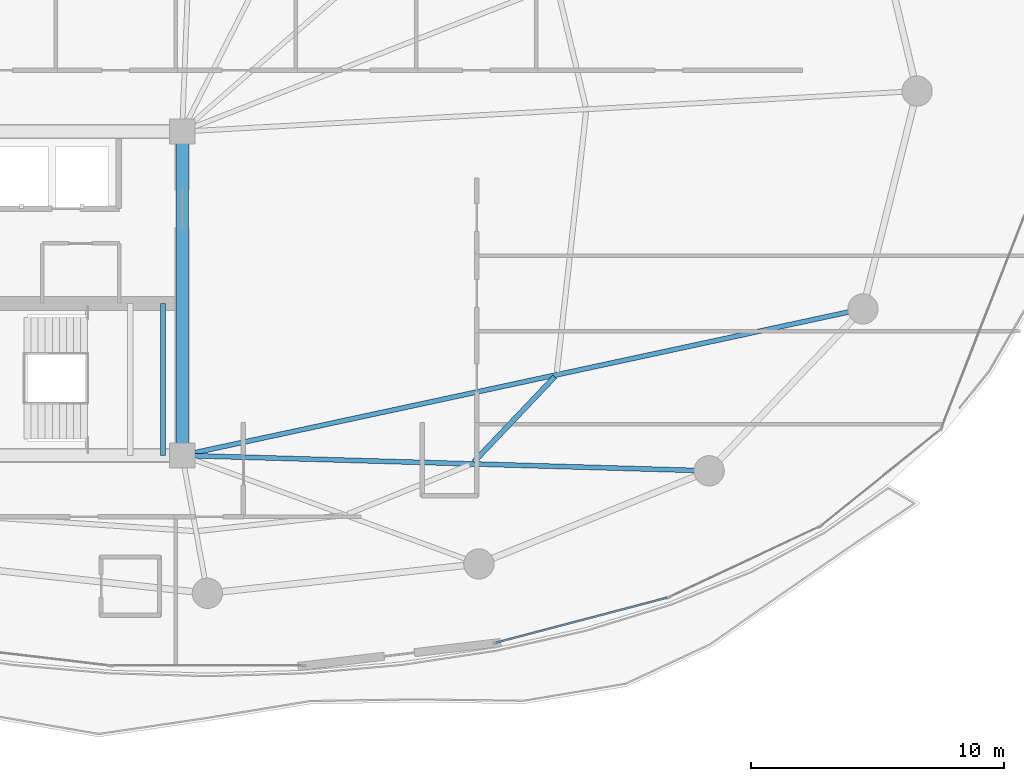
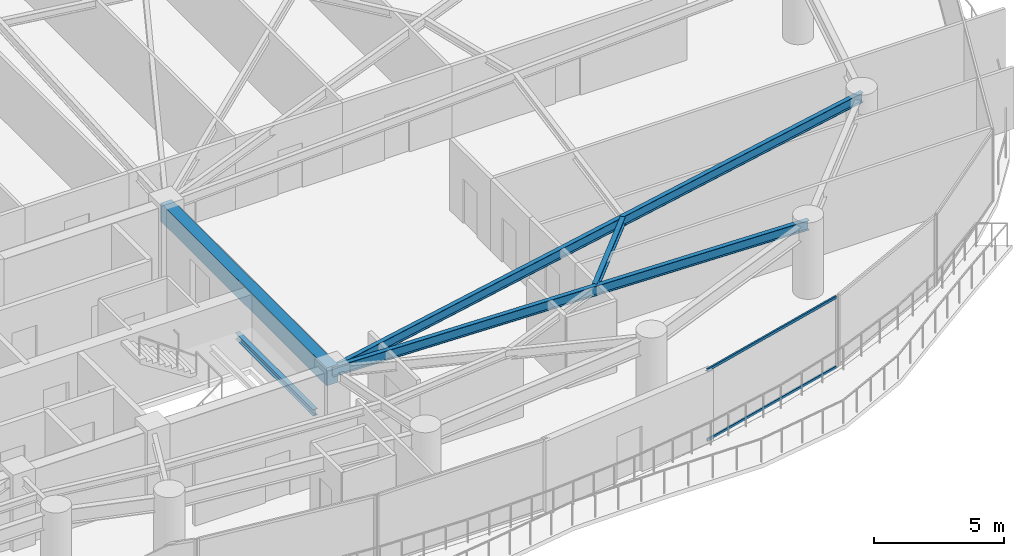
# One storey, part 13 of 34: 5 beams, 2 members, 1 element without a shape of its own.
"""IFC4 building model written with IfcOpenShell, lengths in metres."""

from ifc_helpers import new_model, si_unit, direction, frame, origin, origin_2d, place, context, subcontext, project, spatial, rectangle, hollow_rectangle, i_section, extrude, material, layer, layer_set, material_profile, profile_set, type_object, element, aggregate, save


model = new_model("IFC4")

# Units and contexts
model_context = context("Model", 3, precision=1e-05, world=origin(), true_north=direction((0.0, 1.0)))
body_context = subcontext(model_context, "Body", "Model", "MODEL_VIEW")
ifc_project = project(units=[si_unit("LENGTHUNIT", "METRE"), si_unit("AREAUNIT", "SQUARE_METRE"), si_unit("VOLUMEUNIT", "CUBIC_METRE"), si_unit("PLANEANGLEUNIT", "RADIAN"), si_unit("MASSUNIT", "GRAM", prefix="KILO")], contexts=[model_context])

# Site, building, storey
site_placement = place(None, origin())
site = spatial("IfcSite", under=ifc_project, at=site_placement, CompositionType="ELEMENT")
building_placement = place(site_placement, origin())
building = spatial("IfcBuilding", under=site, at=building_placement, Name="Kazevale Care Tower and Concert Hall", CompositionType="ELEMENT")
storey_placement = place(building_placement, frame((0.0, 0.0, 171.0)))
storey = spatial("IfcBuildingStorey", under=building, at=storey_placement, Name="L45", CompositionType="ELEMENT", Elevation=171.0)

# Curtain wall, members
ifc_material_1 = material(Name="Aluminium 6063-T6 and Low-E Glass", Category="aluminium")
ifc_layer = layer(ifc_material_1, 0.179931640625)
ifc_layer_set = layer_set([ifc_layer], Name="Aluminium 6063-T6 and Low-E Glass")
curtain_wall_type = type_object("IfcCurtainWallType", Name="Sheltered Concave Balcony Curtain Wall CW-5", PredefinedType="NOTDEFINED", material=ifc_layer_set)
curtain_wall_placement = place(storey_placement, origin())
curtain_wall = element("IfcCurtainWall", 1, at=curtain_wall_placement, inside=storey, type_object=curtain_wall_type, Name="cw:L45:f04", PredefinedType="NOTDEFINED")
ifc_material_2 = material(Name="Aluminium 6063-T6", Category="aluminium")
ifc_material_profile_1 = material_profile(ifc_material_2, hollow_rectangle(XDim=0.074951171875, YDim=0.1201171875, WallThickness=0.00390625, at=origin_2d()), Name="ALU75x120x4")
ifc_profile_set_1 = profile_set([ifc_material_profile_1], Name="Aluminium 6063-T6")
member_type = type_object("IfcMemberType", Name="CW-5 Transom ALU75x120x4", PredefinedType="USERDEFINED", material=ifc_profile_set_1)
member_1_placement = place(storey_placement, frame((63.16845703125, 17.971923828125, 0.03759765625), z_axis=(-0.967142752699, -0.254233939321, 0.0), x_axis=(0.254233939321, -0.967142752699, 0.0)))
member_1 = element("IfcMember", 2, at=member_1_placement, type_object=member_type, Name="CW-5 transom 1.1", ObjectType="TRANSOM", PredefinedType="USERDEFINED", context=body_context, shape_type="SweptSolid", body=[
    extrude(hollow_rectangle(XDim=0.074951171875, YDim=0.1201171875, WallThickness=0.00390625, at=origin_2d()), origin(), (0.0, 0.0, 1.0), 6.996826171875),
])
member_2_placement = place(storey_placement, frame((63.16845703125, 17.971923828125, 3.322509765625), z_axis=(-0.967142752699, -0.254233939321, 0.0), x_axis=(0.254233939321, -0.967142752699, 0.0)))
member_2 = element("IfcMember", 3, at=member_2_placement, type_object=member_type, Name="CW-5 transom 1.2", ObjectType="TRANSOM", PredefinedType="USERDEFINED", context=body_context, shape_type="SweptSolid", body=[
    extrude(hollow_rectangle(XDim=0.074951171875, YDim=0.1201171875, WallThickness=0.00390625, at=origin_2d()), origin(), (0.0, 0.0, 1.0), 6.996826171875),
])
aggregate(curtain_wall, [member_1, member_2])

# Beams
ifc_material_3 = material(Name="Concrete C60", Category="concrete")
ifc_material_profile_2 = material_profile(ifc_material_3, rectangle(XDim=0.5, YDim=0.85009765625, at=origin_2d()), Name="RC-B500x850")
ifc_profile_set_2 = profile_set([ifc_material_profile_2], Name="Concrete C60")
beam_type_1 = type_object("IfcBeamType", Name="Core Coupling Beam RC500x850", PredefinedType="LINTEL", material=ifc_profile_set_2)
beam_1_placement = place(storey_placement, frame((44.0, 23.60009765625, 2.93505859375), z_axis=(0.0, 1.0, 0.0), x_axis=(-1.0, 0.0, 0.0)))
element("IfcBeam", 4, at=beam_1_placement, inside=storey, type_object=beam_type_1, Name="beam:L45:coretie:4", PredefinedType="LINTEL", context=body_context, shape_type="SweptSolid", body=[
    extrude(rectangle(XDim=0.5, YDim=0.85009765625, at=origin_2d()), origin(), (0.0, 0.0, 1.0), 12.7998046875),
])
ifc_material_4 = material(Name="Steel ASTM A572 Gr 50", Category="steel")
ifc_material_profile_3 = material_profile(ifc_material_4, i_section(OverallWidth=0.19091796875, OverallDepth=0.4599609375, WebThickness=0.010009765625, FlangeThickness=0.01611328125, at=origin_2d()), Name="W460x82")
ifc_profile_set_3 = profile_set([ifc_material_profile_3], Name="Steel ASTM A572 Gr 50")
beam_type_2 = type_object("IfcBeamType", Name="Radial Floor Beam W460x82", PredefinedType="BEAM", material=ifc_profile_set_3)
beam_2_placement = place(storey_placement, frame((44.0, 23.60009765625, 3.1298828125), z_axis=(0.99957133157, -0.029277177187, 0.0), x_axis=(0.029277177187, 0.99957133157, 0.0)))
element("IfcBeam", 5, at=beam_2_placement, inside=storey, type_object=beam_type_2, Name="beam:L45:rad:15", PredefinedType="BEAM", context=body_context, shape_type="SweptSolid", body=[
    extrude(i_section(OverallWidth=0.19091796875, OverallDepth=0.4599609375, WebThickness=0.010009765625, FlangeThickness=0.01611328125, at=origin_2d()), origin(), (0.0, 0.0, 1.0), 20.839111328125),
])
beam_3_placement = place(storey_placement, frame((44.0, 23.60009765625, 3.1298828125), z_axis=(0.97762801725, 0.210341293823, 0.0), x_axis=(-0.210341293823, 0.97762801725, 0.0)))
element("IfcBeam", 6, at=beam_3_placement, inside=storey, type_object=beam_type_2, Name="beam:L45:rad:16", PredefinedType="BEAM", context=body_context, shape_type="SweptSolid", body=[
    extrude(i_section(OverallWidth=0.19091796875, OverallDepth=0.4599609375, WebThickness=0.010009765625, FlangeThickness=0.01611328125, at=origin_2d()), origin(), (0.0, 0.0, 1.0), 27.525634765625),
])
ifc_material_profile_4 = material_profile(ifc_material_4, i_section(OverallWidth=0.205078125, OverallDepth=0.35400390625, WebThickness=0.009521484375, FlangeThickness=0.016845703125, at=origin_2d()), Name="W360x79")
ifc_profile_set_4 = profile_set([ifc_material_profile_4], Name="Steel ASTM A572 Gr 50")
beam_type_3 = type_object("IfcBeamType", Name="Secondary Floor Joist W360x79", PredefinedType="JOIST", material=ifc_profile_set_4)
beam_4_placement = place(storey_placement, frame((55.529052734375, 23.341064453125, 3.18310546875), z_axis=(0.688792288395, 0.724958746032, 0.0), x_axis=(-0.724958746032, 0.688792288395, 0.0)))
element("IfcBeam", 7, at=beam_4_placement, inside=storey, type_object=beam_type_3, Name="beam:L45:joist:15", PredefinedType="JOIST", context=body_context, shape_type="SweptSolid", body=[
    extrude(i_section(OverallWidth=0.205078125, OverallDepth=0.35400390625, WebThickness=0.009521484375, FlangeThickness=0.016845703125, at=origin_2d()), origin(), (0.0, 0.0, 1.0), 4.644287109375),
])
ifc_material_profile_5 = material_profile(ifc_material_4, i_section(OverallWidth=0.202880859375, OverallDepth=0.302978515625, WebThickness=0.007568359375, FlangeThickness=0.01318359375, at=origin_2d()), Name="W310x60")
ifc_profile_set_5 = profile_set([ifc_material_profile_5], Name="Steel ASTM A572 Gr 50")
beam_type_4 = type_object("IfcBeamType", Name="Stair & Balcony Trimmer W310x60", PredefinedType="BEAM", material=ifc_profile_set_5)
beam_5_placement = place(storey_placement, frame((43.25, 23.60009765625, 1.448486328125), z_axis=(0.0, 1.0, 0.0), x_axis=(-1.0, 0.0, 0.0)))
element("IfcBeam", 8, at=beam_5_placement, inside=storey, type_object=beam_type_4, Name="beam:L45:sttrim:ST2b", PredefinedType="BEAM", context=body_context, shape_type="SweptSolid", body=[
    extrude(i_section(OverallWidth=0.202880859375, OverallDepth=0.302978515625, WebThickness=0.007568359375, FlangeThickness=0.01318359375, at=origin_2d()), origin(), (0.0, 0.0, 1.0), 6.0),
])

save(model, "model.ifc")
